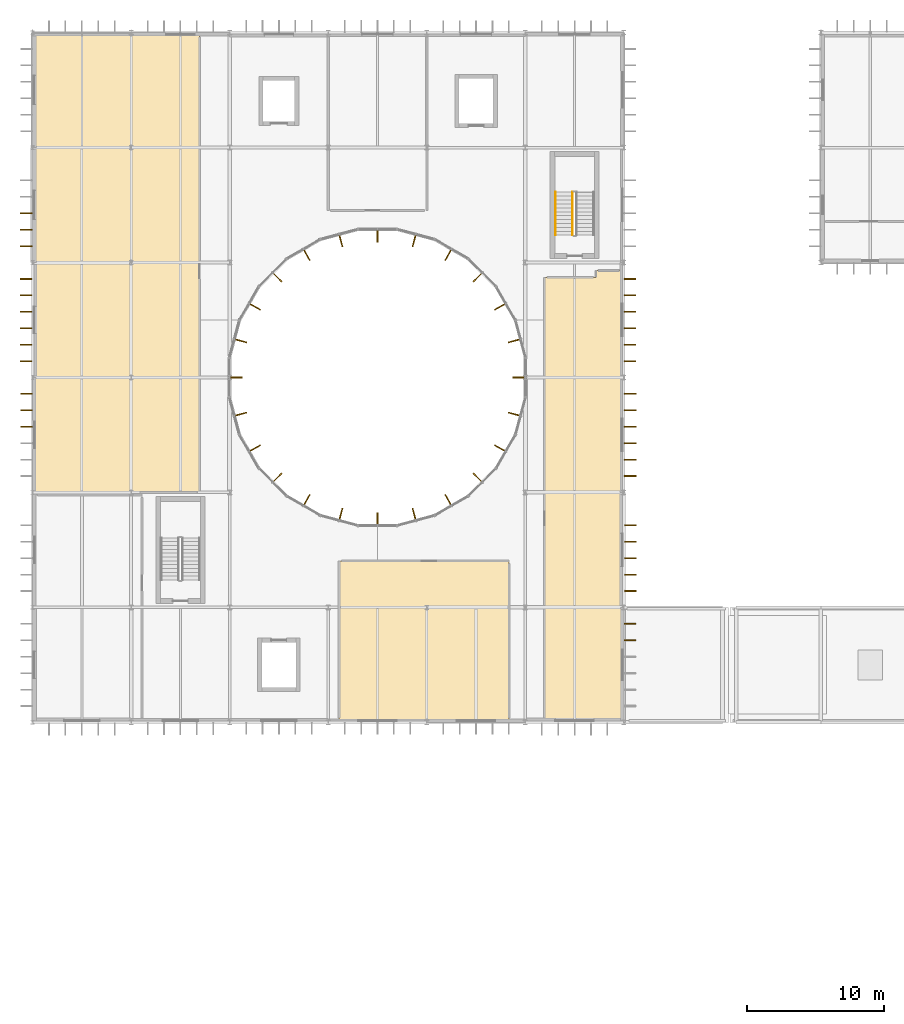
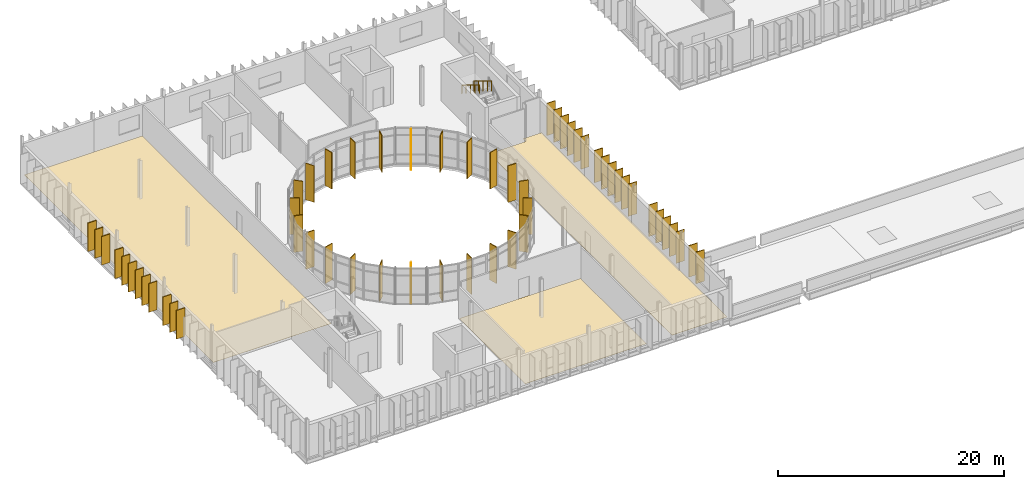
# One storey, part 55 of 61: 55 shading devices, 3 coverings, 2 railings.
"""IFC4 building model written with IfcOpenShell, lengths in metres."""

from ifc_helpers import new_model, si_unit, direction, frame, origin, origin_2d, place, context, subcontext, project, spatial, polyline, rectangle, circle, outline, extrude, material, layer, layer_set, type_object, element, save


model = new_model("IFC4")

# Units and contexts
model_context = context("Model", 3, precision=1e-05, world=origin(), true_north=direction((0.0, 1.0)))
body_context = subcontext(model_context, "Body", "Model", "MODEL_VIEW")
ifc_project = project(units=[si_unit("LENGTHUNIT", "METRE"), si_unit("AREAUNIT", "SQUARE_METRE"), si_unit("VOLUMEUNIT", "CUBIC_METRE"), si_unit("PLANEANGLEUNIT", "RADIAN"), si_unit("MASSUNIT", "GRAM", prefix="KILO")], contexts=[model_context])

# Site, building, storey
site_placement = place(None, origin())
site = spatial("IfcSite", under=ifc_project, at=site_placement, CompositionType="ELEMENT")
building_placement = place(site_placement, origin())
building = spatial("IfcBuilding", under=site, at=building_placement, Name="Qelthora Terrace Specialist Clinic", CompositionType="ELEMENT")
storey_placement = place(building_placement, frame((0.0, 0.0, 13.199951171875)))
storey = spatial("IfcBuildingStorey", under=building, at=storey_placement, Name="L03", CompositionType="ELEMENT", Elevation=13.199951171875)

# Coverings
ifc_material_1 = material(Name="Antimicrobial clinical linoleum flooring", Category="other")
ifc_layer = layer(ifc_material_1, 0.011962890625)
ifc_layer_set = layer_set([ifc_layer], Name="Antimicrobial clinical linoleum flooring")
covering_type = type_object("IfcCoveringType", Name="COV-FLR-LINO-12", PredefinedType="FLOORING", material=ifc_layer_set)
covering_1_placement = place(storey_placement, origin())
element("IfcCovering", 1, at=covering_1_placement, inside=storey, type_object=covering_type, Name="Surgical Sterile Instrument Core L03-53 resilient linoleum flooring", PredefinedType="FLOORING", context=body_context, shape_type="SweptSolid", body=[
    extrude(outline(polyline([(22.39990234375, 58.949951171875), (22.39990234375, 70.60009765625), (34.800048828125, 70.60009765625), (34.800048828125, 58.949951171875), (22.39990234375, 58.949951171875)])), origin(), (0.0, 0.0, 1.0), 0.011962890625),
])
covering_2_placement = place(storey_placement, origin())
element("IfcCovering", 2, at=covering_2_placement, inside=storey, type_object=covering_type, Name="Ambulatory Minor Operating Suites L03-51 resilient linoleum flooring", PredefinedType="FLOORING", context=body_context, shape_type="SweptSolid", body=[
    extrude(outline(polyline([(0.14990234375, 75.60009765625), (0.14990234375, 109.050048828125), (12.199951171875, 109.050048828125), (12.199951171875, 75.60009765625), (0.14990234375, 75.60009765625)])), origin(), (0.0, 0.0, 1.0), 0.011962890625),
])
covering_3_placement = place(storey_placement, origin())
element("IfcCovering", 3, at=covering_3_placement, inside=storey, type_object=covering_type, Name="Bronchoscopy and Pain Procedure Suites L03-52 resilient linoleum flooring", PredefinedType="FLOORING", context=body_context, shape_type="SweptSolid", body=[
    extrude(outline(polyline([(41.159912109375, 91.31494140625), (41.159912109375, 91.800048828125), (43.050048828125, 91.800048828125), (43.050048828125, 58.949951171875), (37.39990234375, 58.949951171875), (37.39990234375, 91.31494140625), (41.159912109375, 91.31494140625)])), origin(), (0.0, 0.0, 1.0), 0.011962890625),
])

# Railings
ifc_material_2 = material(Name="Steel S355", Category="steel")
railing_type_1 = type_object("IfcRailingType", Name="RAL-GD-1100-S355", PredefinedType="GUARDRAIL", material=ifc_material_2)
railing_1_placement = place(storey_placement, frame((39.449951171875, 97.534912109375, 2.275146484375)))
element("IfcRailing", 4, at=railing_1_placement, inside=storey, type_object=railing_type_1, Name="L03 ST-02 stair guard 3", PredefinedType="GUARDRAIL", context=body_context, shape_type="SweptSolid", body=[
    extrude(circle(Radius=0.02392578125, at=origin_2d()), frame((0.0, 0.0, 1.076171875), z_axis=(0.0, -0.852195625947, 0.523223293744), x_axis=(1.0, 0.0, 0.0)), (0.0, 0.0, 1.0), 3.6787109375),
    extrude(circle(Radius=0.02099609375, at=origin_2d()), origin(), (0.0, 0.0, 1.0), 1.052001953125),
    extrude(circle(Radius=0.02099609375, at=origin_2d()), frame((0.0, -0.78369140625, 0.481201171875)), (0.0, 0.0, 1.0), 1.052001953125),
    extrude(circle(Radius=0.02099609375, at=origin_2d()), frame((0.0, -1.5673828125, 0.96240234375)), (0.0, 0.0, 1.0), 1.052001953125),
    extrude(circle(Radius=0.02099609375, at=origin_2d()), frame((0.0, -2.351318359375, 1.443603515625)), (0.0, 0.0, 1.0), 1.052001953125),
    extrude(circle(Radius=0.02099609375, at=origin_2d()), frame((0.0, -3.135009765625, 1.9248046875)), (0.0, 0.0, 1.0), 1.052001953125),
])
railing_type_2 = type_object("IfcRailingType", Name="RAL-HR-900-S355", PredefinedType="HANDRAIL", material=ifc_material_2)
railing_2_placement = place(storey_placement, frame((38.199951171875, 97.534912109375, 2.468017578125)))
element("IfcRailing", 5, at=railing_2_placement, inside=storey, type_object=railing_type_2, Name="L03 ST-02 stair handrail 2", PredefinedType="HANDRAIL", context=body_context, shape_type="SweptSolid", body=[
    extrude(circle(Radius=0.02392578125, at=origin_2d()), frame((0.0, 0.0, 0.8759765625), z_axis=(0.0, -0.852166034122, 0.523271488128), x_axis=(1.0, 0.0, 0.0)), (0.0, 0.0, 1.0), 3.678955078125),
    extrude(circle(Radius=0.02099609375, at=origin_2d()), origin(), (0.0, 0.0, 1.0), 0.851806640625),
    extrude(circle(Radius=0.02099609375, at=origin_2d()), frame((0.0, -0.78369140625, 0.481201171875)), (0.0, 0.0, 1.0), 0.851806640625),
    extrude(circle(Radius=0.02099609375, at=origin_2d()), frame((0.0, -1.5673828125, 0.96240234375)), (0.0, 0.0, 1.0), 0.851806640625),
    extrude(circle(Radius=0.02099609375, at=origin_2d()), frame((0.0, -2.351318359375, 1.44384765625)), (0.0, 0.0, 1.0), 0.851806640625),
    extrude(circle(Radius=0.02099609375, at=origin_2d()), frame((0.0, -3.135009765625, 1.925048828125)), (0.0, 0.0, 1.0), 0.851806640625),
])

# Shading devices
ifc_material_3 = material(Name="Glulam timber GL28h", Category="wood")
shading_device_type = type_object("IfcShadingDeviceType", Name="SHD-FIN-850", PredefinedType="USERDEFINED", material=ifc_material_3)
for number, where, z_axis, x_axis, name in (
    (6, (35.1611328125, 86.669189453125, 0.0), (0.0, 0.0, 1.0), (-0.965925826289, -0.258819045103, 0.0), "Court solar fin FIN-0153"),
    (7, (34.130859375, 89.15625, 0.0), (0.0, 0.0, 1.0), (-0.866025403784, -0.5, 0.0), "Court solar fin FIN-0154"),
    (8, (32.4921875, 91.292236328125, 0.0), (0.0, 0.0, 1.0), (-0.707106781187, -0.707106781187, 0.0), "Court solar fin FIN-0155"),
    (9, (30.356201171875, 92.930908203125, 0.0), (0.0, 0.0, 1.0), (-0.5, -0.866025403784, 0.0), "Court solar fin FIN-0156"),
    (10, (27.869140625, 93.961181640625, 0.0), (0.0, 0.0, 1.0), (-0.258819045103, -0.965925826289, 0.0), "Court solar fin FIN-0157"),
    (11, (25.199951171875, 94.3125, 0.0), (0.0, 0.0, 1.0), (0.0, -1.0, 0.0), "Court solar fin FIN-0158"),
    (12, (22.531005859375, 93.961181640625, 0.0), (0.0, 0.0, 1.0), (0.258819045103, -0.965925826289, 0.0), "Court solar fin FIN-0159"),
    (13, (20.043701171875, 92.930908203125, 0.0), (0.0, 0.0, 1.0), (0.5, -0.866025403784, 0.0), "Court solar fin FIN-0160"),
    (14, (17.907958984375, 91.292236328125, 0.0), (0.0, 0.0, 1.0), (0.707106781187, -0.707106781187, 0.0), "Court solar fin FIN-0161"),
    (15, (16.26904296875, 89.15625, 0.0), (0.0, 0.0, 1.0), (0.866025403784, -0.5, 0.0), "Court solar fin FIN-0162"),
    (16, (15.23876953125, 86.669189453125, 0.0), (0.0, 0.0, 1.0), (0.965925826289, -0.258819045103, 0.0), "Court solar fin FIN-0163"),
    (17, (14.887451171875, 84.0, 0.0), (0.0, 0.0, 1.0), (1.0, 0.0, 0.0), "Court solar fin FIN-0164"),
    (18, (15.23876953125, 81.330810546875, 0.0), (0.0, 0.0, 1.0), (0.965925826289, 0.258819045103, 0.0), "Court solar fin FIN-0165"),
    (19, (16.26904296875, 78.84375, 0.0), (0.0, 0.0, 1.0), (0.866025403784, 0.5, 0.0), "Court solar fin FIN-0166"),
    (20, (17.907958984375, 76.707763671875, 0.0), (0.0, 0.0, 1.0), (0.707106781187, 0.707106781187, 0.0), "Court solar fin FIN-0167"),
    (21, (20.043701171875, 75.069091796875, 0.0), (0.0, 0.0, 1.0), (0.5, 0.866025403784, 0.0), "Court solar fin FIN-0168"),
    (22, (22.531005859375, 74.038818359375, 0.0), (0.0, 0.0, 1.0), (0.258819045103, 0.965925826289, 0.0), "Court solar fin FIN-0169"),
    (23, (25.199951171875, 73.6875, 0.0), (0.0, 0.0, 1.0), (0.0, 1.0, 0.0), "Court solar fin FIN-0170"),
    (24, (27.869140625, 74.038818359375, 0.0), (0.0, 0.0, 1.0), (-0.258819045103, 0.965925826289, 0.0), "Court solar fin FIN-0171"),
    (25, (30.356201171875, 75.069091796875, 0.0), (0.0, 0.0, 1.0), (-0.5, 0.866025403784, 0.0), "Court solar fin FIN-0172"),
    (26, (32.4921875, 76.707763671875, 0.0), (0.0, 0.0, 1.0), (-0.707106781187, 0.707106781187, 0.0), "Court solar fin FIN-0173"),
    (27, (34.130859375, 78.84375, 0.0), (0.0, 0.0, 1.0), (-0.866025403784, 0.5, 0.0), "Court solar fin FIN-0174"),
    (28, (35.1611328125, 81.330810546875, 0.0), (0.0, 0.0, 1.0), (-0.965925826289, 0.258819045103, 0.0), "Court solar fin FIN-0175"),
    (29, (35.5126953125, 84.0, 0.0), (0.0, 0.0, 1.0), (-1.0, 0.0, 0.0), "Court solar fin FIN-0176"),
):
    element("IfcShadingDevice", number, at=place(storey_placement, frame(where, z_axis=z_axis, x_axis=x_axis)), inside=storey, type_object=shading_device_type, Name=name, ObjectType="FIN", PredefinedType="USERDEFINED", context=body_context, shape_type="SweptSolid", body=[
        extrude(rectangle(XDim=0.85009765625, YDim=0.080078125, at=origin_2d()), origin(), (0.0, 0.0, 1.0), 3.945068359375),
    ])
for number, where, z_axis, x_axis, name in (
    (30, (-0.43505859375, 80.39990234375, 0.0), (0.0, 0.0, 1.0), (-1.0, 0.0, 0.0), "Exterior solar shading fin FIN-1646"),
    (31, (-0.43505859375, 81.60009765625, 0.0), (0.0, 0.0, 1.0), (-1.0, 0.0, 0.0), "Exterior solar shading fin FIN-1647"),
    (32, (-0.43505859375, 82.800048828125, 0.0), (0.0, 0.0, 1.0), (-1.0, 0.0, 0.0), "Exterior solar shading fin FIN-1648"),
    (33, (-0.4951171875, 85.199951171875, 0.0), (0.0, 0.0, 1.0), (-1.0, 0.0, 0.0), "Exterior solar shading fin FIN-1649"),
    (34, (-0.4951171875, 86.39990234375, 0.0), (0.0, 0.0, 1.0), (-1.0, 0.0, 0.0), "Exterior solar shading fin FIN-1650"),
    (35, (-0.4951171875, 87.60009765625, 0.0), (0.0, 0.0, 1.0), (-1.0, 0.0, 0.0), "Exterior solar shading fin FIN-1651"),
    (36, (-0.4951171875, 88.800048828125, 0.0), (0.0, 0.0, 1.0), (-1.0, 0.0, 0.0), "Exterior solar shading fin FIN-1652"),
    (37, (-0.4951171875, 90.0, 0.0), (0.0, 0.0, 1.0), (-1.0, 0.0, 0.0), "Exterior solar shading fin FIN-1653"),
    (38, (-0.4951171875, 91.199951171875, 0.0), (0.0, 0.0, 1.0), (-1.0, 0.0, 0.0), "Exterior solar shading fin FIN-1654"),
    (39, (-0.465087890625, 93.60009765625, 0.0), (0.0, 0.0, 1.0), (-1.0, 0.0, 0.0), "Exterior solar shading fin FIN-1655"),
    (40, (-0.465087890625, 94.800048828125, 0.0), (0.0, 0.0, 1.0), (-1.0, 0.0, 0.0), "Exterior solar shading fin FIN-1656"),
    (41, (-0.465087890625, 96.0, 0.0), (0.0, 0.0, 1.0), (-1.0, 0.0, 0.0), "Exterior solar shading fin FIN-1657"),
):
    element("IfcShadingDevice", number, at=place(storey_placement, frame(where, z_axis=z_axis, x_axis=x_axis)), inside=storey, type_object=shading_device_type, Name=name, ObjectType="FIN", PredefinedType="USERDEFINED", context=body_context, shape_type="SweptSolid", body=[
        extrude(rectangle(XDim=0.85009765625, YDim=0.080078125, at=origin_2d()), origin(), (0.0, 0.0, 1.0), 3.091064453125),
    ])
for number, where, z_axis, x_axis, name in (
    (42, (43.635009765625, 64.800048828125, 0.0), (0.0, 0.0, 1.0), (1.0, 0.0, 0.0), "Exterior solar shading fin FIN-1700"),
    (43, (43.635009765625, 66.0, 0.0), (0.0, 0.0, 1.0), (1.0, 0.0, 0.0), "Exterior solar shading fin FIN-1701"),
    (44, (43.695068359375, 68.39990234375, 0.0), (0.0, 0.0, 1.0), (1.0, 0.0, 0.0), "Exterior solar shading fin FIN-1702"),
    (45, (43.695068359375, 69.60009765625, 0.0), (0.0, 0.0, 1.0), (1.0, 0.0, 0.0), "Exterior solar shading fin FIN-1703"),
    (46, (43.695068359375, 70.800048828125, 0.0), (0.0, 0.0, 1.0), (1.0, 0.0, 0.0), "Exterior solar shading fin FIN-1704"),
    (47, (43.695068359375, 72.0, 0.0), (0.0, 0.0, 1.0), (1.0, 0.0, 0.0), "Exterior solar shading fin FIN-1705"),
    (48, (43.695068359375, 73.199951171875, 0.0), (0.0, 0.0, 1.0), (1.0, 0.0, 0.0), "Exterior solar shading fin FIN-1706"),
):
    element("IfcShadingDevice", number, at=place(storey_placement, frame(where, z_axis=z_axis, x_axis=x_axis)), inside=storey, type_object=shading_device_type, Name=name, ObjectType="FIN", PredefinedType="USERDEFINED", context=body_context, shape_type="SweptSolid", body=[
        extrude(rectangle(XDim=0.85009765625, YDim=0.080078125, at=origin_2d()), origin(), (0.0, 0.0, 1.0), 3.405029296875),
    ])
for number, where, z_axis, x_axis, name in (
    (49, (43.6650390625, 76.800048828125, 0.0), (0.0, 0.0, 1.0), (1.0, 0.0, 0.0), "Exterior solar shading fin FIN-1707"),
    (50, (43.6650390625, 78.0, 0.0), (0.0, 0.0, 1.0), (1.0, 0.0, 0.0), "Exterior solar shading fin FIN-1708"),
    (51, (43.6650390625, 79.199951171875, 0.0), (0.0, 0.0, 1.0), (1.0, 0.0, 0.0), "Exterior solar shading fin FIN-1709"),
    (52, (43.6650390625, 80.39990234375, 0.0), (0.0, 0.0, 1.0), (1.0, 0.0, 0.0), "Exterior solar shading fin FIN-1710"),
    (53, (43.6650390625, 81.60009765625, 0.0), (0.0, 0.0, 1.0), (1.0, 0.0, 0.0), "Exterior solar shading fin FIN-1711"),
    (54, (43.6650390625, 82.800048828125, 0.0), (0.0, 0.0, 1.0), (1.0, 0.0, 0.0), "Exterior solar shading fin FIN-1712"),
):
    element("IfcShadingDevice", number, at=place(storey_placement, frame(where, z_axis=z_axis, x_axis=x_axis)), inside=storey, type_object=shading_device_type, Name=name, ObjectType="FIN", PredefinedType="USERDEFINED", context=body_context, shape_type="SweptSolid", body=[
        extrude(rectangle(XDim=0.85009765625, YDim=0.080078125, at=origin_2d()), origin(), (0.0, 0.0, 1.0), 3.47607421875),
    ])
for number, where, z_axis, x_axis, name in (
    (55, (43.655029296875, 85.199951171875, 0.0), (0.0, 0.0, 1.0), (1.0, 0.0, 0.0), "Exterior solar shading fin FIN-1713"),
    (56, (43.655029296875, 86.39990234375, 0.0), (0.0, 0.0, 1.0), (1.0, 0.0, 0.0), "Exterior solar shading fin FIN-1714"),
    (57, (43.655029296875, 87.60009765625, 0.0), (0.0, 0.0, 1.0), (1.0, 0.0, 0.0), "Exterior solar shading fin FIN-1715"),
    (58, (43.655029296875, 88.800048828125, 0.0), (0.0, 0.0, 1.0), (1.0, 0.0, 0.0), "Exterior solar shading fin FIN-1716"),
    (59, (43.655029296875, 90.0, 0.0), (0.0, 0.0, 1.0), (1.0, 0.0, 0.0), "Exterior solar shading fin FIN-1717"),
    (60, (43.655029296875, 91.199951171875, 0.0), (0.0, 0.0, 1.0), (1.0, 0.0, 0.0), "Exterior solar shading fin FIN-1718"),
):
    element("IfcShadingDevice", number, at=place(storey_placement, frame(where, z_axis=z_axis, x_axis=x_axis)), inside=storey, type_object=shading_device_type, Name=name, ObjectType="FIN", PredefinedType="USERDEFINED", context=body_context, shape_type="SweptSolid", body=[
        extrude(rectangle(XDim=0.85009765625, YDim=0.080078125, at=origin_2d()), origin(), (0.0, 0.0, 1.0), 3.48193359375),
    ])

save(model, "model.ifc")
